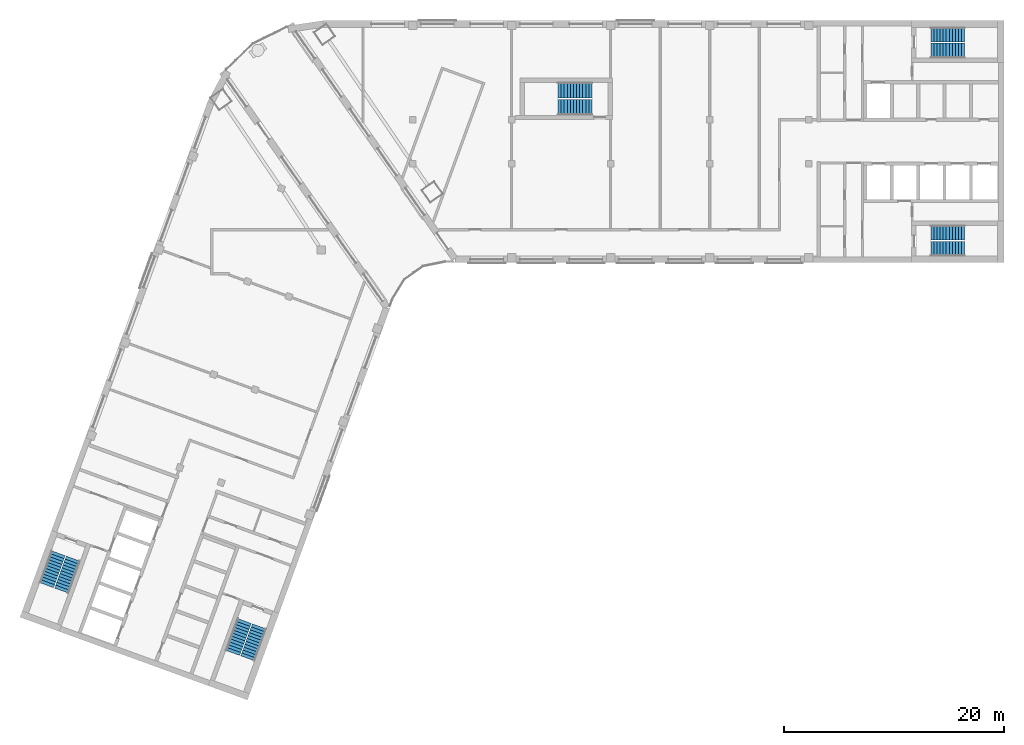
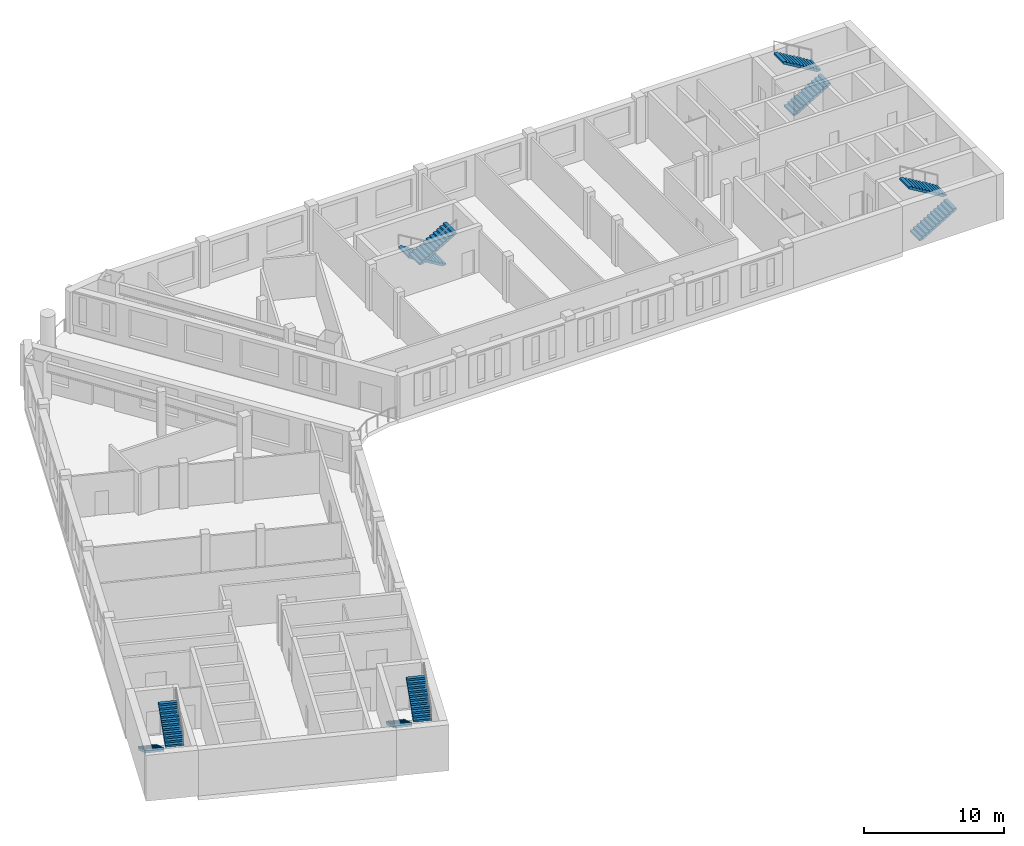
# One storey, part 7 of 11: 10 stair flights, 5 elements without a shape of their own.
"""IFC4 building model written with IfcOpenShell, lengths in metres."""

from ifc_helpers import new_model, si_unit, direction, frame, origin, place, context, subcontext, project, spatial, polyline, outline, extrude, material, type_object, element, aggregate, save


model = new_model("IFC4")

# Units and contexts
model_context = context("Model", 3, precision=1e-05, world=origin(), true_north=direction((0.0, 1.0)))
body_context = subcontext(model_context, "Body", "Model", "MODEL_VIEW")
ifc_project = project(units=[si_unit("LENGTHUNIT", "METRE"), si_unit("AREAUNIT", "SQUARE_METRE"), si_unit("VOLUMEUNIT", "CUBIC_METRE"), si_unit("PLANEANGLEUNIT", "RADIAN"), si_unit("MASSUNIT", "GRAM", prefix="KILO")], contexts=[model_context])

# Site, building, storey
site_placement = place(None, origin())
site = spatial("IfcSite", under=ifc_project, at=site_placement, CompositionType="ELEMENT")
building_placement = place(site_placement, origin())
building = spatial("IfcBuilding", under=site, at=building_placement, Name="Skarvind Civic Tower", CompositionType="ELEMENT")
storey_placement = place(building_placement, frame((0.0, 0.0, 212.0)))
storey = spatial("IfcBuildingStorey", under=building, at=storey_placement, Name="L50", CompositionType="ELEMENT", Elevation=212.0)

# Stair, stair flights
ifc_material = material(Name="Concrete C40/50", Category="concrete")
stair_type_1 = type_object("IfcStairType", Name="Exit stair 1450, half-turn, concrete", PredefinedType="HALF_TURN_STAIR", material=ifc_material)
stair_1_placement = place(storey_placement, origin())
stair_1 = element("IfcStair", 1, at=stair_1_placement, inside=storey, type_object=stair_type_1, Name="Exit stair CM", PredefinedType="HALF_TURN_STAIR")
stair_flight_type_1 = type_object("IfcStairFlightType", Name="Stair flight 1450, concrete", PredefinedType="STRAIGHT", material=ifc_material)
stair_flight_1_placement = place(storey_placement, frame((70.550048828125, 132.675048828125, 0.0), z_axis=(0.0, 0.0, 1.0), x_axis=(-1.0, 0.0, 0.0)))
stair_flight_1 = element("IfcStairFlight", 2, at=stair_flight_1_placement, type_object=stair_flight_type_1, Name="ST-CM flight 1", NumberOfRisers=12, NumberOfTreads=11, PredefinedType="STRAIGHT", RiserHeight=0.166666667, TreadLength=0.28, context=body_context, shape_type="SweptSolid", body=[
    extrude(outline(polyline([(0.0, 0.0), (0.0, 0.166748046875), (0.280029296875, 0.166748046875), (0.280029296875, 0.333251953125), (0.56005859375, 0.333251953125), (0.56005859375, 0.5), (0.840087890625, 0.5), (0.840087890625, 0.666748046875), (1.1201171875, 0.666748046875), (1.1201171875, 0.833251953125), (1.39990234375, 0.833251953125), (1.39990234375, 1.0), (1.679931640625, 1.0), (1.679931640625, 1.166748046875), (1.9599609375, 1.166748046875), (1.9599609375, 1.333251953125), (2.239990234375, 1.333251953125), (2.239990234375, 1.5), (2.52001953125, 1.5), (2.52001953125, 1.666748046875), (2.800048828125, 1.666748046875), (2.800048828125, 1.833251953125), (3.080078125, 1.833251953125), (3.080078125, 2.0), (3.080078125, 1.658935546875), (0.29296875, 0.0), (0.0, 0.0)])), frame((0.0, 0.72509765625, 0.0), z_axis=(0.0, -1.0, 0.0), x_axis=(1.0, 0.0, 0.0)), (0.0, 0.0, 1.0), 1.449951171875),
])
stair_flight_2_placement = place(storey_placement, frame((67.469970703125, 131.125, 2.0), z_axis=(0.0, 0.0, 1.0), x_axis=(1.0, 0.0, 0.0)))
stair_flight_2 = element("IfcStairFlight", 3, at=stair_flight_2_placement, type_object=stair_flight_type_1, Name="ST-CM flight 2", NumberOfRisers=12, NumberOfTreads=11, PredefinedType="STRAIGHT", RiserHeight=0.166666667, TreadLength=0.28, context=body_context, shape_type="SweptSolid", body=[
    extrude(outline(polyline([(0.0, 0.0), (0.0, 0.166748046875), (0.280029296875, 0.166748046875), (0.280029296875, 0.333251953125), (0.56005859375, 0.333251953125), (0.56005859375, 0.5), (0.840087890625, 0.5), (0.840087890625, 0.666748046875), (1.1201171875, 0.666748046875), (1.1201171875, 0.833251953125), (1.39990234375, 0.833251953125), (1.39990234375, 1.0), (1.679931640625, 1.0), (1.679931640625, 1.166748046875), (1.9599609375, 1.166748046875), (1.9599609375, 1.333251953125), (2.239990234375, 1.333251953125), (2.239990234375, 1.5), (2.52001953125, 1.5), (2.52001953125, 1.666748046875), (2.800048828125, 1.666748046875), (2.800048828125, 1.833251953125), (3.080078125, 1.833251953125), (3.080078125, 2.0), (3.080078125, 1.658935546875), (0.29296875, 0.0), (0.0, 0.0)])), frame((0.0, 0.72509765625, 0.0), z_axis=(0.0, -1.0, 0.0), x_axis=(1.0, 0.0, 0.0)), (0.0, 0.0, 1.0), 1.449951171875),
])
aggregate(stair_1, [stair_flight_1, stair_flight_2])

stair_type_2 = type_object("IfcStairType", Name="Exit stair, half-turn, concrete", PredefinedType="HALF_TURN_STAIR", material=ifc_material)
stair_2_placement = place(storey_placement, origin())
stair_2 = element("IfcStair", 4, at=stair_2_placement, inside=storey, type_object=stair_type_2, Name="Exit stair C1S", PredefinedType="HALF_TURN_STAIR")
stair_flight_type_2 = type_object("IfcStairFlightType", Name="Stair flight, concrete", PredefinedType="STRAIGHT", material=ifc_material)
stair_flight_3_placement = place(storey_placement, frame((101.35009765625, 136.27490234375, 0.0), z_axis=(0.0, 0.0, 1.0), x_axis=(1.0, 0.0, 0.0)))
stair_flight_3 = element("IfcStairFlight", 5, at=stair_flight_3_placement, type_object=stair_flight_type_2, Name="ST-C1S flight 1", NumberOfRisers=12, NumberOfTreads=11, PredefinedType="STRAIGHT", RiserHeight=0.166666667, TreadLength=0.28, context=body_context, shape_type="SweptSolid", body=[
    extrude(outline(polyline([(0.0, 0.0), (0.0, 0.166748046875), (0.280029296875, 0.166748046875), (0.280029296875, 0.333251953125), (0.56005859375, 0.333251953125), (0.56005859375, 0.5), (0.840087890625, 0.5), (0.840087890625, 0.666748046875), (1.1201171875, 0.666748046875), (1.1201171875, 0.833251953125), (1.39990234375, 0.833251953125), (1.39990234375, 1.0), (1.679931640625, 1.0), (1.679931640625, 1.166748046875), (1.9599609375, 1.166748046875), (1.9599609375, 1.333251953125), (2.239990234375, 1.333251953125), (2.239990234375, 1.5), (2.52001953125, 1.5), (2.52001953125, 1.666748046875), (2.800048828125, 1.666748046875), (2.800048828125, 1.833251953125), (3.080078125, 1.833251953125), (3.080078125, 2.0), (3.080078125, 1.658935546875), (0.29296875, 0.0), (0.0, 0.0)])), frame((0.0, 0.675048828125, 0.0), z_axis=(0.0, -1.0, 0.0), x_axis=(1.0, 0.0, 0.0)), (0.0, 0.0, 1.0), 1.35009765625),
])
stair_flight_4_placement = place(storey_placement, frame((104.429931640625, 137.72509765625, 2.0), z_axis=(0.0, 0.0, 1.0), x_axis=(-1.0, 0.0, 0.0)))
stair_flight_4 = element("IfcStairFlight", 6, at=stair_flight_4_placement, type_object=stair_flight_type_2, Name="ST-C1S flight 2", NumberOfRisers=12, NumberOfTreads=11, PredefinedType="STRAIGHT", RiserHeight=0.166666667, TreadLength=0.28, context=body_context, shape_type="SweptSolid", body=[
    extrude(outline(polyline([(0.0, 0.0), (0.0, 0.166748046875), (0.280029296875, 0.166748046875), (0.280029296875, 0.333251953125), (0.56005859375, 0.333251953125), (0.56005859375, 0.5), (0.840087890625, 0.5), (0.840087890625, 0.666748046875), (1.1201171875, 0.666748046875), (1.1201171875, 0.833251953125), (1.39990234375, 0.833251953125), (1.39990234375, 1.0), (1.679931640625, 1.0), (1.679931640625, 1.166748046875), (1.9599609375, 1.166748046875), (1.9599609375, 1.333251953125), (2.239990234375, 1.333251953125), (2.239990234375, 1.5), (2.52001953125, 1.5), (2.52001953125, 1.666748046875), (2.800048828125, 1.666748046875), (2.800048828125, 1.833251953125), (3.080078125, 1.833251953125), (3.080078125, 2.0), (3.080078125, 1.658935546875), (0.29296875, 0.0), (0.0, 0.0)])), frame((0.0, 0.675048828125, 0.0), z_axis=(0.0, -1.0, 0.0), x_axis=(1.0, 0.0, 0.0)), (0.0, 0.0, 1.0), 1.35009765625),
])
aggregate(stair_2, [stair_flight_3, stair_flight_4])

stair_3_placement = place(storey_placement, origin())
stair_3 = element("IfcStair", 7, at=stair_3_placement, inside=storey, type_object=stair_type_2, Name="Exit stair C1N", PredefinedType="HALF_TURN_STAIR")
stair_flight_5_placement = place(storey_placement, frame((101.35009765625, 118.27490234375, 0.0), z_axis=(0.0, 0.0, 1.0), x_axis=(1.0, 0.0, 0.0)))
stair_flight_5 = element("IfcStairFlight", 8, at=stair_flight_5_placement, type_object=stair_flight_type_2, Name="ST-C1N flight 1", NumberOfRisers=12, NumberOfTreads=11, PredefinedType="STRAIGHT", RiserHeight=0.166666667, TreadLength=0.28, context=body_context, shape_type="SweptSolid", body=[
    extrude(outline(polyline([(0.0, 0.0), (0.0, 0.166748046875), (0.280029296875, 0.166748046875), (0.280029296875, 0.333251953125), (0.56005859375, 0.333251953125), (0.56005859375, 0.5), (0.840087890625, 0.5), (0.840087890625, 0.666748046875), (1.1201171875, 0.666748046875), (1.1201171875, 0.833251953125), (1.39990234375, 0.833251953125), (1.39990234375, 1.0), (1.679931640625, 1.0), (1.679931640625, 1.166748046875), (1.9599609375, 1.166748046875), (1.9599609375, 1.333251953125), (2.239990234375, 1.333251953125), (2.239990234375, 1.5), (2.52001953125, 1.5), (2.52001953125, 1.666748046875), (2.800048828125, 1.666748046875), (2.800048828125, 1.833251953125), (3.080078125, 1.833251953125), (3.080078125, 2.0), (3.080078125, 1.658935546875), (0.29296875, 0.0), (0.0, 0.0)])), frame((0.0, 0.675048828125, 0.0), z_axis=(0.0, -1.0, 0.0), x_axis=(1.0, 0.0, 0.0)), (0.0, 0.0, 1.0), 1.35009765625),
])
stair_flight_6_placement = place(storey_placement, frame((104.429931640625, 119.72509765625, 2.0), z_axis=(0.0, 0.0, 1.0), x_axis=(-1.0, 0.0, 0.0)))
stair_flight_6 = element("IfcStairFlight", 9, at=stair_flight_6_placement, type_object=stair_flight_type_2, Name="ST-C1N flight 2", NumberOfRisers=12, NumberOfTreads=11, PredefinedType="STRAIGHT", RiserHeight=0.166666667, TreadLength=0.28, context=body_context, shape_type="SweptSolid", body=[
    extrude(outline(polyline([(0.0, 0.0), (0.0, 0.166748046875), (0.280029296875, 0.166748046875), (0.280029296875, 0.333251953125), (0.56005859375, 0.333251953125), (0.56005859375, 0.5), (0.840087890625, 0.5), (0.840087890625, 0.666748046875), (1.1201171875, 0.666748046875), (1.1201171875, 0.833251953125), (1.39990234375, 0.833251953125), (1.39990234375, 1.0), (1.679931640625, 1.0), (1.679931640625, 1.166748046875), (1.9599609375, 1.166748046875), (1.9599609375, 1.333251953125), (2.239990234375, 1.333251953125), (2.239990234375, 1.5), (2.52001953125, 1.5), (2.52001953125, 1.666748046875), (2.800048828125, 1.666748046875), (2.800048828125, 1.833251953125), (3.080078125, 1.833251953125), (3.080078125, 2.0), (3.080078125, 1.658935546875), (0.29296875, 0.0), (0.0, 0.0)])), frame((0.0, 0.675048828125, 0.0), z_axis=(0.0, -1.0, 0.0), x_axis=(1.0, 0.0, 0.0)), (0.0, 0.0, 1.0), 1.35009765625),
])
aggregate(stair_3, [stair_flight_5, stair_flight_6])

stair_4_placement = place(storey_placement, origin())
stair_4 = element("IfcStair", 10, at=stair_4_placement, inside=storey, type_object=stair_type_2, Name="Exit stair C2S", PredefinedType="HALF_TURN_STAIR")
stair_flight_7_placement = place(storey_placement, frame((38.949462890625, 84.43408203125, 0.0), z_axis=(0.0, 0.0, 1.0), x_axis=(-0.342020143326, -0.939692620786, 0.0)))
stair_flight_7 = element("IfcStairFlight", 11, at=stair_flight_7_placement, type_object=stair_flight_type_2, Name="ST-C2S flight 1", NumberOfRisers=12, NumberOfTreads=11, PredefinedType="STRAIGHT", RiserHeight=0.166666667, TreadLength=0.28, context=body_context, shape_type="SweptSolid", body=[
    extrude(outline(polyline([(0.0, 0.0), (0.0, 0.166748046875), (0.280029296875, 0.166748046875), (0.280029296875, 0.333251953125), (0.56005859375, 0.333251953125), (0.56005859375, 0.5), (0.840087890625, 0.5), (0.840087890625, 0.666748046875), (1.1201171875, 0.666748046875), (1.1201171875, 0.833251953125), (1.39990234375, 0.833251953125), (1.39990234375, 1.0), (1.679931640625, 1.0), (1.679931640625, 1.166748046875), (1.9599609375, 1.166748046875), (1.9599609375, 1.333251953125), (2.239990234375, 1.333251953125), (2.239990234375, 1.5), (2.52001953125, 1.5), (2.52001953125, 1.666748046875), (2.800048828125, 1.666748046875), (2.800048828125, 1.833251953125), (3.080078125, 1.833251953125), (3.080078125, 2.0), (3.080078125, 1.658935546875), (0.29296875, 0.0), (0.0, 0.0)])), frame((0.0, 0.675048828125, 0.0), z_axis=(0.0, -1.0, 0.0), x_axis=(1.0, 0.0, 0.0)), (0.0, 0.0, 1.0), 1.35009765625),
])
stair_flight_8_placement = place(storey_placement, frame((39.258544921875, 81.0439453125, 2.0), z_axis=(0.0, 0.0, 1.0), x_axis=(0.342020143326, 0.939692620786, 0.0)))
stair_flight_8 = element("IfcStairFlight", 12, at=stair_flight_8_placement, type_object=stair_flight_type_2, Name="ST-C2S flight 2", NumberOfRisers=12, NumberOfTreads=11, PredefinedType="STRAIGHT", RiserHeight=0.166666667, TreadLength=0.28, context=body_context, shape_type="SweptSolid", body=[
    extrude(outline(polyline([(0.0, 0.0), (0.0, 0.166748046875), (0.280029296875, 0.166748046875), (0.280029296875, 0.333251953125), (0.56005859375, 0.333251953125), (0.56005859375, 0.5), (0.840087890625, 0.5), (0.840087890625, 0.666748046875), (1.1201171875, 0.666748046875), (1.1201171875, 0.833251953125), (1.39990234375, 0.833251953125), (1.39990234375, 1.0), (1.679931640625, 1.0), (1.679931640625, 1.166748046875), (1.9599609375, 1.166748046875), (1.9599609375, 1.333251953125), (2.239990234375, 1.333251953125), (2.239990234375, 1.5), (2.52001953125, 1.5), (2.52001953125, 1.666748046875), (2.800048828125, 1.666748046875), (2.800048828125, 1.833251953125), (3.080078125, 1.833251953125), (3.080078125, 2.0), (3.080078125, 1.658935546875), (0.29296875, 0.0), (0.0, 0.0)])), frame((0.0, 0.675048828125, 0.0), z_axis=(0.0, -1.0, 0.0), x_axis=(1.0, 0.0, 0.0)), (0.0, 0.0, 1.0), 1.35009765625),
])
aggregate(stair_4, [stair_flight_7, stair_flight_8])

stair_5_placement = place(storey_placement, origin())
stair_5 = element("IfcStair", 13, at=stair_5_placement, inside=storey, type_object=stair_type_2, Name="Exit stair C2N", PredefinedType="HALF_TURN_STAIR")
stair_flight_9_placement = place(storey_placement, frame((22.034912109375, 90.590576171875, 0.0), z_axis=(0.0, 0.0, 1.0), x_axis=(-0.342020143326, -0.939692620786, 0.0)))
stair_flight_9 = element("IfcStairFlight", 14, at=stair_flight_9_placement, type_object=stair_flight_type_2, Name="ST-C2N flight 1", NumberOfRisers=12, NumberOfTreads=11, PredefinedType="STRAIGHT", RiserHeight=0.166666667, TreadLength=0.28, context=body_context, shape_type="SweptSolid", body=[
    extrude(outline(polyline([(0.0, 0.0), (0.0, 0.166748046875), (0.280029296875, 0.166748046875), (0.280029296875, 0.333251953125), (0.56005859375, 0.333251953125), (0.56005859375, 0.5), (0.840087890625, 0.5), (0.840087890625, 0.666748046875), (1.1201171875, 0.666748046875), (1.1201171875, 0.833251953125), (1.39990234375, 0.833251953125), (1.39990234375, 1.0), (1.679931640625, 1.0), (1.679931640625, 1.166748046875), (1.9599609375, 1.166748046875), (1.9599609375, 1.333251953125), (2.239990234375, 1.333251953125), (2.239990234375, 1.5), (2.52001953125, 1.5), (2.52001953125, 1.666748046875), (2.800048828125, 1.666748046875), (2.800048828125, 1.833251953125), (3.080078125, 1.833251953125), (3.080078125, 2.0), (3.080078125, 1.658935546875), (0.29296875, 0.0), (0.0, 0.0)])), frame((0.0, 0.675048828125, 0.0), z_axis=(0.0, -1.0, 0.0), x_axis=(1.0, 0.0, 0.0)), (0.0, 0.0, 1.0), 1.35009765625),
])
stair_flight_10_placement = place(storey_placement, frame((22.343994140625, 87.2001953125, 2.0), z_axis=(0.0, 0.0, 1.0), x_axis=(0.342020143326, 0.939692620786, 0.0)))
stair_flight_10 = element("IfcStairFlight", 15, at=stair_flight_10_placement, type_object=stair_flight_type_2, Name="ST-C2N flight 2", NumberOfRisers=12, NumberOfTreads=11, PredefinedType="STRAIGHT", RiserHeight=0.166666667, TreadLength=0.28, context=body_context, shape_type="SweptSolid", body=[
    extrude(outline(polyline([(0.0, 0.0), (0.0, 0.166748046875), (0.280029296875, 0.166748046875), (0.280029296875, 0.333251953125), (0.56005859375, 0.333251953125), (0.56005859375, 0.5), (0.840087890625, 0.5), (0.840087890625, 0.666748046875), (1.1201171875, 0.666748046875), (1.1201171875, 0.833251953125), (1.39990234375, 0.833251953125), (1.39990234375, 1.0), (1.679931640625, 1.0), (1.679931640625, 1.166748046875), (1.9599609375, 1.166748046875), (1.9599609375, 1.333251953125), (2.239990234375, 1.333251953125), (2.239990234375, 1.5), (2.52001953125, 1.5), (2.52001953125, 1.666748046875), (2.800048828125, 1.666748046875), (2.800048828125, 1.833251953125), (3.080078125, 1.833251953125), (3.080078125, 2.0), (3.080078125, 1.658935546875), (0.29296875, 0.0), (0.0, 0.0)])), frame((0.0, 0.675048828125, 0.0), z_axis=(0.0, -1.0, 0.0), x_axis=(1.0, 0.0, 0.0)), (0.0, 0.0, 1.0), 1.35009765625),
])
aggregate(stair_5, [stair_flight_9, stair_flight_10])

save(model, "model.ifc")
